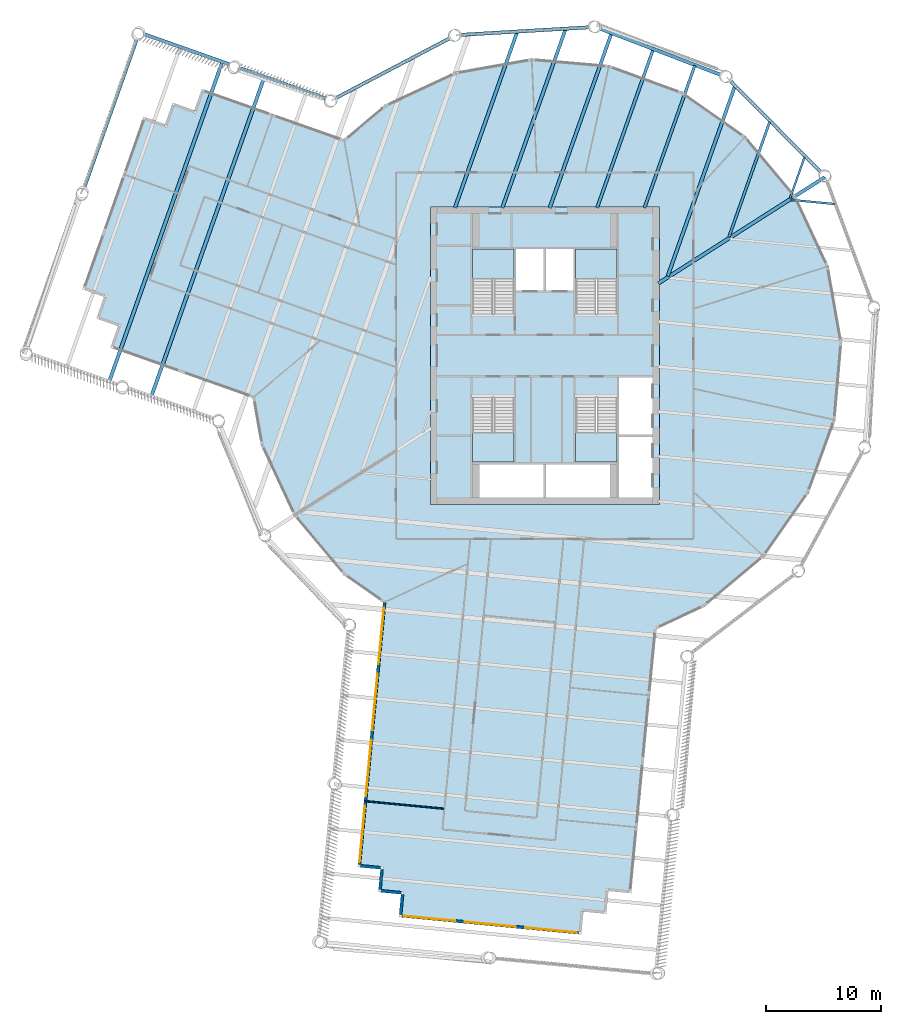
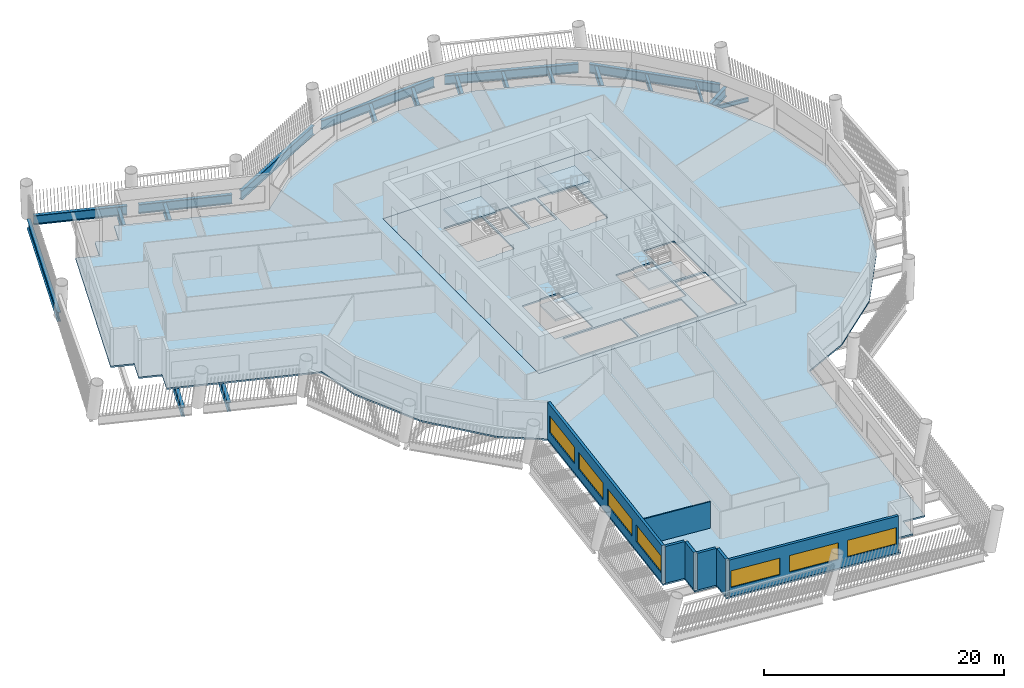
# One storey, part 2 of 15: 19 beams, 7 walls, 7 windows, 6 slabs, 7 openings, 4 elements without a shape of their own.
"""IFC4 building model written with IfcOpenShell, lengths in metres."""

from ifc_helpers import new_model, si_unit, direction, frame, frame_2d, origin, origin_2d, place, context, subcontext, project, spatial, polyline, rectangle, i_section, outline, extrude, material, layer, layer_set, material_profile, profile_set, type_object, element, fill, aggregate, save


model = new_model("IFC4")

# Units and contexts
model_context = context("Model", 3, precision=1e-05, world=origin(), true_north=direction((0.0, 1.0)))
body_context = subcontext(model_context, "Body", "Model", "MODEL_VIEW")
ifc_project = project(units=[si_unit("LENGTHUNIT", "METRE"), si_unit("AREAUNIT", "SQUARE_METRE"), si_unit("VOLUMEUNIT", "CUBIC_METRE"), si_unit("PLANEANGLEUNIT", "RADIAN"), si_unit("MASSUNIT", "GRAM", prefix="KILO")], contexts=[model_context])

# Site, building, storey
site_placement = place(None, origin())
site = spatial("IfcSite", under=ifc_project, at=site_placement, CompositionType="ELEMENT")
building_placement = place(site_placement, origin())
building = spatial("IfcBuilding", under=site, at=building_placement, Name="Tarsis Ring Headquarters", CompositionType="ELEMENT")
storey_placement = place(building_placement, frame((0.0, 0.0, 204.300048828125)))
storey = spatial("IfcBuildingStorey", under=building, at=storey_placement, Name="L47", CompositionType="ELEMENT", Elevation=204.300048828125)

# Beams
ifc_material_1 = material(Name="Structural steel S355", Category="steel")
ifc_material_profile_1 = material_profile(ifc_material_1, i_section(OverallWidth=0.177734375, OverallDepth=0.406494140625, WebThickness=0.0078125, FlangeThickness=0.0126953125, at=origin_2d()), Name="W16x40")
ifc_profile_set_1 = profile_set([ifc_material_profile_1], Name="Structural steel S355")
beam_type_1 = type_object("IfcBeamType", Name="FB Floor beam W16x40", PredefinedType="JOIST", material=ifc_profile_set_1)
for number, where, z_axis, x_axis, name in (
    (1, (21.5166015625, 13.607421875, -0.36328125), (0.995426292774, -0.095532694163, 0.0), (0.095532694163, 0.995426292774, 0.0), "Floor beam FB1"),
    (2, (22.68505859375, 17.352294921875, -0.36328125), (-0.333440919586, -0.942770997191, 0.0), (0.942770997191, -0.333440919586, 0.0), "Floor beam FB1"),
):
    element("IfcBeam", number, at=place(storey_placement, frame(where, z_axis=z_axis, x_axis=x_axis)), inside=storey, type_object=beam_type_1, Name=name, PredefinedType="JOIST", context=body_context, shape_type="SweptSolid", body=[
        extrude(i_section(OverallWidth=0.177734375, OverallDepth=0.406494140625, WebThickness=0.0078125, FlangeThickness=0.0126953125, at=origin_2d()), origin(), (0.0, 0.0, 1.0), 3.80517578125),
    ])
ifc_material_profile_2 = material_profile(ifc_material_1, i_section(OverallWidth=0.228271484375, OverallDepth=0.607177734375, WebThickness=0.01123046875, FlangeThickness=0.017333984375, at=origin_2d()), Name="W24x76")
ifc_profile_set_2 = profile_set([ifc_material_profile_2], Name="Structural steel S355")
beam_type_2 = type_object("IfcBeamType", Name="FB Floor beam W24x76", PredefinedType="JOIST", material=ifc_profile_set_2)
beam_1_placement = place(storey_placement, frame((19.637939453125, 20.4326171875, -0.463623046875), z_axis=(-0.333483363833, -0.94275598436, 0.0), x_axis=(0.94275598436, -0.333483363833, 0.0)))
element("IfcBeam", 3, at=beam_1_placement, inside=storey, type_object=beam_type_2, Name="Floor beam FB4", PredefinedType="JOIST", context=body_context, shape_type="SweptSolid", body=[
    extrude(i_section(OverallWidth=0.228271484375, OverallDepth=0.607177734375, WebThickness=0.01123046875, FlangeThickness=0.017333984375, at=origin_2d()), origin(), (0.0, 0.0, 1.0), 10.684814453125),
])
ifc_material_profile_3 = material_profile(ifc_material_1, i_section(OverallWidth=0.2529296875, OverallDepth=0.67822265625, WebThickness=0.01171875, FlangeThickness=0.016357421875, at=origin_2d()), Name="W27x84")
ifc_profile_set_3 = profile_set([ifc_material_profile_3], Name="Structural steel S355")
beam_type_3 = type_object("IfcBeamType", Name="FB Floor beam W27x84", PredefinedType="JOIST", material=ifc_profile_set_3)
beam_2_placement = place(storey_placement, frame((13.09716796875, 25.331298828125, -0.499267578125), z_axis=(-0.333479874405, -0.942757218677, 0.0), x_axis=(0.942757218677, -0.333479874405, 0.0)))
element("IfcBeam", 4, at=beam_2_placement, inside=storey, type_object=beam_type_3, Name="Floor beam FB5", PredefinedType="JOIST", context=body_context, shape_type="SweptSolid", body=[
    extrude(i_section(OverallWidth=0.2529296875, OverallDepth=0.67822265625, WebThickness=0.01171875, FlangeThickness=0.016357421875, at=origin_2d()), origin(), (0.0, 0.0, 1.0), 13.179931640625),
])
ifc_material_profile_4 = material_profile(ifc_material_1, i_section(OverallWidth=0.2666015625, OverallDepth=0.7568359375, WebThickness=0.013916015625, FlangeThickness=0.019287109375, at=origin_2d()), Name="W30x108")
ifc_profile_set_4 = profile_set([ifc_material_profile_4], Name="Structural steel S355")
beam_type_4 = type_object("IfcBeamType", Name="FB Floor beam W30x108", PredefinedType="JOIST", material=ifc_profile_set_4)
beam_3_placement = place(storey_placement, frame((9.4541015625, 26.727294921875, -0.53857421875), z_axis=(-0.333470724334, -0.942760455266, 0.0), x_axis=(0.942760455266, -0.333470724334, 0.0)))
element("IfcBeam", 5, at=beam_3_placement, inside=storey, type_object=beam_type_4, Name="Floor beam FB6", PredefinedType="JOIST", context=body_context, shape_type="SweptSolid", body=[
    extrude(i_section(OverallWidth=0.2666015625, OverallDepth=0.7568359375, WebThickness=0.013916015625, FlangeThickness=0.019287109375, at=origin_2d()), origin(), (0.0, 0.0, 1.0), 14.66064453125),
])
ifc_material_profile_5 = material_profile(ifc_material_1, i_section(OverallWidth=0.2919921875, OverallDepth=0.835693359375, WebThickness=0.013916015625, FlangeThickness=0.018798828125, at=origin_2d()), Name="W33x118")
ifc_profile_set_5 = profile_set([ifc_material_profile_5], Name="Structural steel S355")
beam_type_5 = type_object("IfcBeamType", Name="FB Floor beam W33x118", PredefinedType="JOIST", material=ifc_profile_set_5)
beam_4_placement = place(storey_placement, frame((16.590576171875, 23.5126953125, -0.577880859375), z_axis=(-0.333472220897, -0.942759925904, 0.0), x_axis=(0.942759925904, -0.333472220897, 0.0)))
element("IfcBeam", 6, at=beam_4_placement, inside=storey, type_object=beam_type_5, Name="Floor beam FB7", PredefinedType="JOIST", context=body_context, shape_type="SweptSolid", body=[
    extrude(i_section(OverallWidth=0.2919921875, OverallDepth=0.835693359375, WebThickness=0.013916015625, FlangeThickness=0.018798828125, at=origin_2d()), origin(), (0.0, 0.0, 1.0), 17.564208984375),
])
beam_5_placement = place(storey_placement, frame((5.81103515625, 28.123291015625, -0.577880859375), z_axis=(-0.333476696103, -0.942758342926, 0.0), x_axis=(0.942758342926, -0.333476696103, 0.0)))
element("IfcBeam", 7, at=beam_5_placement, inside=storey, type_object=beam_type_5, Name="Floor beam FB7", PredefinedType="JOIST", context=body_context, shape_type="SweptSolid", body=[
    extrude(i_section(OverallWidth=0.2919921875, OverallDepth=0.835693359375, WebThickness=0.013916015625, FlangeThickness=0.018798828125, at=origin_2d()), origin(), (0.0, 0.0, 1.0), 16.1416015625),
])
beam_6_placement = place(storey_placement, frame((1.803466796875, 28.488525390625, -0.577880859375), z_axis=(-0.333474440607, -0.942759140747, 0.0), x_axis=(0.942759140747, -0.333474440607, 0.0)))
element("IfcBeam", 8, at=beam_6_placement, inside=storey, type_object=beam_type_5, Name="Floor beam FB7", PredefinedType="JOIST", context=body_context, shape_type="SweptSolid", body=[
    extrude(i_section(OverallWidth=0.2919921875, OverallDepth=0.835693359375, WebThickness=0.013916015625, FlangeThickness=0.018798828125, at=origin_2d()), origin(), (0.0, 0.0, 1.0), 16.52880859375),
])
beam_7_placement = place(storey_placement, frame((-2.42138671875, 28.2392578125, -0.577880859375), z_axis=(-0.333476440967, -0.942758433174, 0.0), x_axis=(0.942758433174, -0.333476440967, 0.0)))
element("IfcBeam", 9, at=beam_7_placement, inside=storey, type_object=beam_type_5, Name="Floor beam FB7", PredefinedType="JOIST", context=body_context, shape_type="SweptSolid", body=[
    extrude(i_section(OverallWidth=0.2919921875, OverallDepth=0.835693359375, WebThickness=0.013916015625, FlangeThickness=0.018798828125, at=origin_2d()), origin(), (0.0, 0.0, 1.0), 16.264404296875),
])
ifc_material_profile_6 = material_profile(ifc_material_1, i_section(OverallWidth=0.309814453125, OverallDepth=0.949951171875, WebThickness=0.0244140625, FlangeThickness=0.0439453125, at=origin_2d()), Name="W36x256")
ifc_profile_set_6 = profile_set([ifc_material_profile_6], Name="Structural steel S355")
beam_type_6 = type_object("IfcBeamType", Name="FB Floor beam W36x256", PredefinedType="JOIST", material=ifc_profile_set_6)
beam_8_placement = place(storey_placement, frame((-24.496826171875, 24.305419921875, -0.635009765625), z_axis=(-0.333483453891, -0.942755952504, 0.0), x_axis=(0.942755952504, -0.333483453891, 0.0)))
element("IfcBeam", 10, at=beam_8_placement, inside=storey, type_object=beam_type_6, Name="Floor beam FB11", PredefinedType="JOIST", context=body_context, shape_type="SweptSolid", body=[
    extrude(i_section(OverallWidth=0.309814453125, OverallDepth=0.949951171875, WebThickness=0.0244140625, FlangeThickness=0.0439453125, at=origin_2d()), origin(), (0.0, 0.0, 1.0), 29.490234375),
])
beam_9_placement = place(storey_placement, frame((-28.173583984375, 25.606201171875, -0.635009765625), z_axis=(-0.333480851134, -0.942756873179, 0.0), x_axis=(0.942756873179, -0.333480851134, 0.0)))
element("IfcBeam", 11, at=beam_9_placement, inside=storey, type_object=beam_type_6, Name="Floor beam FB11", PredefinedType="JOIST", context=body_context, shape_type="SweptSolid", body=[
    extrude(i_section(OverallWidth=0.309814453125, OverallDepth=0.949951171875, WebThickness=0.0244140625, FlangeThickness=0.0439453125, at=origin_2d()), origin(), (0.0, 0.0, 1.0), 29.490478515625),
])
beam_type_7 = type_object("IfcBeamType", Name="FB Floor beam W36x256 spine", PredefinedType="BEAM", material=ifc_profile_set_6)
beam_10_placement = place(storey_placement, frame((24.444580078125, 15.5849609375, -0.635009765625), z_axis=(-0.843199098114, -0.537601414563, 0.0), x_axis=(0.537601414563, -0.843199098114, 0.0)))
element("IfcBeam", 12, at=beam_10_placement, inside=storey, type_object=beam_type_7, Name="Floor beam SB11", PredefinedType="BEAM", context=body_context, shape_type="SweptSolid", body=[
    extrude(i_section(OverallWidth=0.309814453125, OverallDepth=0.949951171875, WebThickness=0.0244140625, FlangeThickness=0.0439453125, at=origin_2d()), origin(), (0.0, 0.0, 1.0), 17.23046875),
])
beam_type_8 = type_object("IfcBeamType", Name="XG Ring girder W36x256", PredefinedType="BEAM", material=ifc_profile_set_6)
beam_11_placement = place(storey_placement, frame((24.15625, 15.95751953125, -0.47509765625), z_axis=(-0.703279361924, 0.710913594673, 0.0), x_axis=(-0.710913594673, -0.703279361924, 0.0)))
element("IfcBeam", 13, at=beam_11_placement, inside=storey, type_object=beam_type_8, Name="Ring girder XG2", PredefinedType="BEAM", context=body_context, shape_type="SweptSolid", body=[
    extrude(i_section(OverallWidth=0.309814453125, OverallDepth=0.949951171875, WebThickness=0.0244140625, FlangeThickness=0.0439453125, at=origin_2d()), origin(), (0.0, 0.0, 1.0), 11.288818359375),
])
beam_12_placement = place(storey_placement, frame((15.43115234375, 24.495849609375, -0.47509765625), z_axis=(-0.933790804513, 0.357819414519, 0.0), x_axis=(-0.357819414519, -0.933790804513, 0.0)))
element("IfcBeam", 14, at=beam_12_placement, inside=storey, type_object=beam_type_8, Name="Ring girder XG2", PredefinedType="BEAM", context=body_context, shape_type="SweptSolid", body=[
    extrude(i_section(OverallWidth=0.309814453125, OverallDepth=0.949951171875, WebThickness=0.0244140625, FlangeThickness=0.0439453125, at=origin_2d()), origin(), (0.0, 0.0, 1.0), 11.28857421875),
])
for number, where, z_axis, x_axis, name in (
    (15, (3.96240234375, 28.6787109375, -0.47509765625), (-0.998264515294, -0.058889366649, 0.0), (0.058889366649, -0.998264515294, 0.0), "Ring girder XG2"),
    (16, (-8.2109375, 27.76220703125, -0.47509765625), (-0.885244984725, -0.465125055248, 0.0), (0.465125055248, -0.885244984725, 0.0), "Ring girder XG2"),
):
    element("IfcBeam", number, at=place(storey_placement, frame(where, z_axis=z_axis, x_axis=x_axis)), inside=storey, type_object=beam_type_8, Name=name, PredefinedType="BEAM", context=body_context, shape_type="SweptSolid", body=[
        extrude(i_section(OverallWidth=0.309814453125, OverallDepth=0.949951171875, WebThickness=0.0244140625, FlangeThickness=0.0439453125, at=origin_2d()), origin(), (0.0, 0.0, 1.0), 11.288818359375),
    ])
beam_13_placement = place(storey_placement, frame((-19.081787109375, 22.4482421875, -0.47509765625), z_axis=(-0.942752310408, 0.333493749898, 0.0), x_axis=(-0.333493749898, -0.942752310408, 0.0)))
element("IfcBeam", 17, at=beam_13_placement, inside=storey, type_object=beam_type_8, Name="Ring girder XG2", PredefinedType="BEAM", context=body_context, shape_type="SweptSolid", body=[
    extrude(i_section(OverallWidth=0.309814453125, OverallDepth=0.949951171875, WebThickness=0.0244140625, FlangeThickness=0.0439453125, at=origin_2d()), origin(), (0.0, 0.0, 1.0), 7.942138671875),
])
beam_14_placement = place(storey_placement, frame((-27.474609375, 25.4169921875, -0.47509765625), z_axis=(-0.942748891462, 0.333503414747, 0.0), x_axis=(-0.333503414747, -0.942748891462, 0.0)))
element("IfcBeam", 18, at=beam_14_placement, inside=storey, type_object=beam_type_8, Name="Ring girder XG2", PredefinedType="BEAM", context=body_context, shape_type="SweptSolid", body=[
    extrude(i_section(OverallWidth=0.309814453125, OverallDepth=0.949951171875, WebThickness=0.0244140625, FlangeThickness=0.0439453125, at=origin_2d()), origin(), (0.0, 0.0, 1.0), 7.94189453125),
])
beam_15_placement = place(storey_placement, frame((-35.57470703125, 27.773193359375, -0.47509765625), z_axis=(-0.333469630966, -0.942760842008, 0.0), x_axis=(0.942760842008, -0.333469630966, 0.0)))
element("IfcBeam", 19, at=beam_15_placement, inside=storey, type_object=beam_type_8, Name="Ring girder XG2", PredefinedType="BEAM", context=body_context, shape_type="SweptSolid", body=[
    extrude(i_section(OverallWidth=0.309814453125, OverallDepth=0.949951171875, WebThickness=0.0244140625, FlangeThickness=0.0439453125, at=origin_2d()), origin(), (0.0, 0.0, 1.0), 13.840087890625),
])

# Slab
ifc_material_2 = material(Name="Concrete C40/50", Category="concrete")
ifc_layer_1 = layer(ifc_material_2, 0.159912109375)
ifc_layer_set_1 = layer_set([ifc_layer_1], Name="Core floor slab 160 C40/50")
slab_type_1 = type_object("IfcSlabType", Name="Core floor slab 160 C40/50", PredefinedType="FLOOR", material=ifc_layer_set_1)
slab_1_placement = place(storey_placement, frame((0.0, 0.0, -0.16015625)))
element("IfcSlab", 20, at=slab_1_placement, inside=storey, type_object=slab_type_1, Name="L47 core floor slab", PredefinedType="FLOOR", context=body_context, shape_type="SweptSolid", body=[
    extrude(outline(polyline([(-10.0, -13.0), (10.0, -13.0), (10.0, 13.0), (-10.0, 13.0), (-10.0, -13.0)]), holes=[polyline([(-2.5, 5.699951171875), (-0.10009765625, 5.699951171875), (-0.10009765625, 9.300048828125), (-2.5, 9.300048828125), (-2.5, 5.699951171875)]), polyline([(0.10009765625, 5.699951171875), (2.5, 5.699951171875), (2.5, 9.300048828125), (0.10009765625, 9.300048828125), (0.10009765625, 5.699951171875)]), polyline([(6.5, -12.39990234375), (9.39990234375, -12.39990234375), (9.39990234375, -7.10009765625), (6.5, -7.10009765625), (6.5, -12.39990234375)]), polyline([(6.5, -6.89990234375), (9.39990234375, -6.89990234375), (9.39990234375, -1.89990234375), (6.5, -1.89990234375), (6.5, -6.89990234375)]), polyline([(-5.699951171875, -12.39990234375), (-0.10009765625, -12.39990234375), (-0.10009765625, -9.5), (-5.699951171875, -9.5), (-5.699951171875, -12.39990234375)]), polyline([(0.10009765625, -12.39990234375), (5.699951171875, -12.39990234375), (5.699951171875, -9.5), (0.10009765625, -9.5), (0.10009765625, -12.39990234375)]), polyline([(-2.699951171875, 3.760009765625), (-2.699951171875, 9.300048828125), (-6.300048828125, 9.300048828125), (-6.300048828125, 3.659912109375), (-4.4599609375, 3.659912109375), (-4.4599609375, 3.760009765625), (-2.699951171875, 3.760009765625)]), polyline([(6.300048828125, 3.760009765625), (6.300048828125, 9.300048828125), (2.699951171875, 9.300048828125), (2.699951171875, 3.659912109375), (4.5400390625, 3.659912109375), (4.5400390625, 3.760009765625), (6.300048828125, 3.760009765625)]), polyline([(-6.300048828125, -3.760009765625), (-6.300048828125, -9.300048828125), (-2.699951171875, -9.300048828125), (-2.699951171875, -3.659912109375), (-4.5400390625, -3.659912109375), (-4.5400390625, -3.760009765625), (-6.300048828125, -3.760009765625)]), polyline([(2.699951171875, -3.760009765625), (2.699951171875, -9.300048828125), (6.300048828125, -9.300048828125), (6.300048828125, -3.659912109375), (4.4599609375, -3.659912109375), (4.4599609375, -3.760009765625), (2.699951171875, -3.760009765625)])]), origin(), (0.0, 0.0, 1.0), 0.16015625),
])

# Stair, slab
ifc_material_3 = material(Name="Core stair 1760")
stair_type = type_object("IfcStairType", Name="Core stair 1760", PredefinedType="HALF_TURN_STAIR", material=ifc_material_3)
stair_1_placement = place(storey_placement, origin())
stair_1 = element("IfcStair", 21, at=stair_1_placement, inside=storey, type_object=stair_type, Name="L47 Firefighting stair", PredefinedType="HALF_TURN_STAIR")
ifc_layer_2 = layer(ifc_material_2, 0.199951171875)
ifc_layer_set_2 = layer_set([ifc_layer_2], Name="Core stair landing 200")
slab_type_2 = type_object("IfcSlabType", Name="Core stair landing 200", PredefinedType="LANDING", material=ifc_layer_set_2)
slab_2_placement = place(storey_placement, frame((0.0, 0.0, 1.75)))
slab_2 = element("IfcSlab", 22, at=slab_2_placement, type_object=slab_type_2, Name="Stair ST1 landing 1", PredefinedType="LANDING", context=body_context, shape_type="SweptSolid", body=[
    extrude(outline(polyline([(-2.699951171875, 6.739990234375), (-2.699951171875, 9.300048828125), (-6.300048828125, 9.300048828125), (-6.300048828125, 6.739990234375), (-2.699951171875, 6.739990234375)])), origin(), (0.0, 0.0, 1.0), 0.199951171875),
])
aggregate(stair_1, [slab_2])

stair_2_placement = place(storey_placement, origin())
stair_2 = element("IfcStair", 23, at=stair_2_placement, inside=storey, type_object=stair_type, Name="L47 Exit stair B", PredefinedType="HALF_TURN_STAIR")
slab_3_placement = place(storey_placement, frame((0.0, 0.0, 1.75)))
slab_3 = element("IfcSlab", 24, at=slab_3_placement, type_object=slab_type_2, Name="Stair ST2 landing 1", PredefinedType="LANDING", context=body_context, shape_type="SweptSolid", body=[
    extrude(outline(polyline([(6.300048828125, 6.739990234375), (6.300048828125, 9.300048828125), (2.699951171875, 9.300048828125), (2.699951171875, 6.739990234375), (6.300048828125, 6.739990234375)])), origin(), (0.0, 0.0, 1.0), 0.199951171875),
])
aggregate(stair_2, [slab_3])

stair_3_placement = place(storey_placement, origin())
stair_3 = element("IfcStair", 25, at=stair_3_placement, inside=storey, type_object=stair_type, Name="L47 Exit stair C", PredefinedType="HALF_TURN_STAIR")
slab_4_placement = place(storey_placement, frame((0.0, 0.0, 1.75)))
slab_4 = element("IfcSlab", 26, at=slab_4_placement, type_object=slab_type_2, Name="Stair ST3 landing 1", PredefinedType="LANDING", context=body_context, shape_type="SweptSolid", body=[
    extrude(outline(polyline([(-6.300048828125, -6.739990234375), (-6.300048828125, -9.300048828125), (-2.699951171875, -9.300048828125), (-2.699951171875, -6.739990234375), (-6.300048828125, -6.739990234375)])), origin(), (0.0, 0.0, 1.0), 0.199951171875),
])
aggregate(stair_3, [slab_4])

stair_4_placement = place(storey_placement, origin())
stair_4 = element("IfcStair", 27, at=stair_4_placement, inside=storey, type_object=stair_type, Name="L47 Exit stair D", PredefinedType="HALF_TURN_STAIR")
slab_5_placement = place(storey_placement, frame((0.0, 0.0, 1.75)))
slab_5 = element("IfcSlab", 28, at=slab_5_placement, type_object=slab_type_2, Name="Stair ST4 landing 1", PredefinedType="LANDING", context=body_context, shape_type="SweptSolid", body=[
    extrude(outline(polyline([(2.699951171875, -6.739990234375), (2.699951171875, -9.300048828125), (6.300048828125, -9.300048828125), (6.300048828125, -6.739990234375), (2.699951171875, -6.739990234375)])), origin(), (0.0, 0.0, 1.0), 0.199951171875),
])
aggregate(stair_4, [slab_5])

# Slab
ifc_material_4 = material(Name="Concrete C35/45", Category="concrete")
ifc_layer_3 = layer(ifc_material_4, 0.159912109375)
ifc_layer_set_3 = layer_set([ifc_layer_3], Name="FS Composite floor slab 160")
slab_type_3 = type_object("IfcSlabType", Name="FS Composite floor slab 160", PredefinedType="FLOOR", material=ifc_layer_set_3)
slab_6_placement = place(storey_placement, frame((0.0, 0.0, -0.16015625)))
element("IfcSlab", 29, at=slab_6_placement, inside=storey, type_object=slab_type_3, Name="Floor slab L47", PredefinedType="FLOOR", context=body_context, shape_type="SweptSolid", body=[
    extrude(outline(polyline([(-25.52294921875, -3.700439453125), (-24.7939453125, -7.826904296875), (-21.92333984375, -13.9775390625), (-17.55859375, -19.17529296875), (-14.125244140625, -21.57763671875), (-16.338134765625, -44.643798828125), (-14.34716796875, -44.834716796875), (-14.538330078125, -46.82568359375), (-12.54736328125, -47.0166015625), (-12.73828125, -49.007568359375), (3.1884765625, -50.535400390625), (3.379638671875, -48.544677734375), (5.370361328125, -48.735595703125), (5.561279296875, -46.74462890625), (7.55224609375, -46.935791015625), (9.76318359375, -23.89013671875), (13.9775390625, -21.92333984375), (19.17529296875, -17.55859375), (23.06640625, -11.997314453125), (25.3857421875, -5.61865234375), (25.974853515625, 1.14306640625), (24.7939453125, 7.826904296875), (21.92333984375, 13.9775390625), (17.55859375, 19.17529296875), (11.997314453125, 23.06640625), (5.61865234375, 25.3857421875), (-1.14306640625, 25.974853515625), (-7.826904296875, 24.7939453125), (-13.9775390625, 21.92333984375), (-17.5390625, 18.9326171875), (-29.9375, 23.318359375), (-30.6044921875, 21.432861328125), (-32.489990234375, 22.099853515625), (-33.156982421875, 20.214111328125), (-35.04248046875, 20.881103515625), (-40.378173828125, 5.797119140625), (-38.49267578125, 5.130126953125), (-39.15966796875, 3.24462890625), (-37.274169921875, 2.57763671875), (-37.94091796875, 0.692138671875), (-25.52294921875, -3.700439453125)]), holes=[polyline([(-10.0, -13.0), (-10.0, 13.0), (10.0, 13.0), (10.0, -13.0), (-10.0, -13.0)])]), origin(), (0.0, 0.0, 1.0), 0.16015625),
])

# Wall
ifc_material_5 = material(Name="Gypsum board on steel studs", Category="steel")
ifc_layer_4 = layer(ifc_material_5, 0.10009765625)
ifc_layer_set_4 = layer_set([ifc_layer_4], Name="FL partition 100 unrated")
wall_type_1 = type_object("IfcWallType", Name="FL partition 100 unrated", PredefinedType="PARTITIONING", material=ifc_layer_set_4)
wall_1_placement = place(storey_placement, frame((-15.7353515625, -38.885009765625, 0.0), z_axis=(0.0, 0.0, 1.0), x_axis=(0.995428887645, -0.095505652407, 0.0)))
element("IfcWall", 30, at=wall_1_placement, inside=storey, type_object=wall_type_1, Name="Partition PW3", PredefinedType="PARTITIONING", context=body_context, shape_type="SweptSolid", body=[
    extrude(rectangle(XDim=6.93017578125, YDim=0.10009765625, at=frame_2d((3.465087890625, 0.0))), origin(), (0.0, 0.0, 1.0), 2.699951171875),
])

# Wall, openings, windows
ifc_material_6 = material(Name="Terracotta clad insulated panel wall", Category="masonry")
ifc_layer_5 = layer(ifc_material_6, 0.25)
ifc_layer_set_5 = layer_set([ifc_layer_5], Name="Facade wall terracotta panel 250")
wall_type_2 = type_object("IfcWallType", Name="Facade wall terracotta panel 250", PredefinedType="STANDARD", material=ifc_layer_set_5)
wall_2_placement = place(storey_placement, frame((-14.000732421875, -21.589599609375, 0.0), z_axis=(0.0, 0.0, 1.0), x_axis=(-0.095495655954, -0.995429846696, 0.0)))
wall_2 = element("IfcWall", 31, at=wall_2_placement, inside=storey, type_object=wall_type_2, Name="External wall L47-06", PredefinedType="STANDARD", context=body_context, shape_type="SweptSolid", body=[
    extrude(rectangle(XDim=22.922119140625, YDim=0.25, at=frame_2d((11.4609375, 0.0))), origin(), (0.0, 0.0, 1.0), 3.739990234375),
])
opening_1_placement = place(wall_2_placement, frame((0.42138671875, 0.0, 0.89990234375)))
opening_1 = element("IfcOpeningElement", 32, at=opening_1_placement, cuts=wall_2, Name="Opening WN05", PredefinedType="OPENING", context=body_context, shape_type="SweptSolid", body=[
    extrude(rectangle(XDim=4.949951171875, YDim=1.699951171875, at=frame_2d((2.47509765625, 0.85009765625))), frame((0.0, 0.135009765625, 0.0), z_axis=(0.0, -1.0, 0.0), x_axis=(1.0, 0.0, 0.0)), (0.0, 0.0, 1.0), 0.27001953125),
])
opening_2_placement = place(wall_2_placement, frame((6.214599609375, 0.0, 0.89990234375)))
opening_2 = element("IfcOpeningElement", 33, at=opening_2_placement, cuts=wall_2, Name="Opening WN05", PredefinedType="OPENING", context=body_context, shape_type="SweptSolid", body=[
    extrude(rectangle(XDim=4.949951171875, YDim=1.699951171875, at=frame_2d((2.47509765625, 0.85009765625))), frame((0.0, 0.135009765625, 0.0), z_axis=(0.0, -1.0, 0.0), x_axis=(1.0, 0.0, 0.0)), (0.0, 0.0, 1.0), 0.27001953125),
])
opening_3_placement = place(wall_2_placement, frame((12.007568359375, 0.0, 0.89990234375)))
opening_3 = element("IfcOpeningElement", 34, at=opening_3_placement, cuts=wall_2, Name="Opening WN05", PredefinedType="OPENING", context=body_context, shape_type="SweptSolid", body=[
    extrude(rectangle(XDim=4.949951171875, YDim=1.699951171875, at=frame_2d((2.47509765625, 0.85009765625))), frame((0.0, 0.135009765625, 0.0), z_axis=(0.0, -1.0, 0.0), x_axis=(1.0, 0.0, 0.0)), (0.0, 0.0, 1.0), 0.27001953125),
])
opening_4_placement = place(wall_2_placement, frame((17.800537109375, 0.0, 0.89990234375)))
opening_4 = element("IfcOpeningElement", 35, at=opening_4_placement, cuts=wall_2, Name="Opening WN05", PredefinedType="OPENING", context=body_context, shape_type="SweptSolid", body=[
    extrude(rectangle(XDim=4.949951171875, YDim=1.699951171875, at=frame_2d((2.47509765625, 0.85009765625))), frame((0.0, 0.135009765625, 0.0), z_axis=(0.0, -1.0, 0.0), x_axis=(1.0, 0.0, 0.0)), (0.0, 0.0, 1.0), 0.27001953125),
])
ifc_material_7 = material(Name="Aluminium framed double glazing", Category="aluminium")
window_type_1 = type_object("IfcWindowType", Name="Facade window 4950 x 1700", PartitioningType="SINGLE_PANEL", PredefinedType="WINDOW", material=ifc_material_7)
window_1_placement = place(opening_1_placement, origin())
window_1 = element("IfcWindow", 36, at=window_1_placement, inside=storey, type_object=window_type_1, Name="Window L47-06.1", OverallHeight=1.699951171875, OverallWidth=4.949951171875, PartitioningType="SINGLE_PANEL", PredefinedType="WINDOW", context=body_context, shape_type="SweptSolid", body=[
    extrude(rectangle(XDim=4.949951171875, YDim=1.699951171875, at=frame_2d((2.47509765625, 0.85009765625))), frame((0.0, 0.030029296875, 0.0), z_axis=(0.0, -1.0, 0.0), x_axis=(1.0, 0.0, 0.0)), (0.0, 0.0, 1.0), 0.06005859375),
])
fill(opening_1, window_1)
window_2_placement = place(opening_2_placement, origin())
window_2 = element("IfcWindow", 37, at=window_2_placement, inside=storey, type_object=window_type_1, Name="Window L47-06.2", OverallHeight=1.699951171875, OverallWidth=4.949951171875, PartitioningType="SINGLE_PANEL", PredefinedType="WINDOW", context=body_context, shape_type="SweptSolid", body=[
    extrude(rectangle(XDim=4.949951171875, YDim=1.699951171875, at=frame_2d((2.47509765625, 0.85009765625))), frame((0.0, 0.030029296875, 0.0), z_axis=(0.0, -1.0, 0.0), x_axis=(1.0, 0.0, 0.0)), (0.0, 0.0, 1.0), 0.06005859375),
])
fill(opening_2, window_2)
window_3_placement = place(opening_3_placement, origin())
window_3 = element("IfcWindow", 38, at=window_3_placement, inside=storey, type_object=window_type_1, Name="Window L47-06.3", OverallHeight=1.699951171875, OverallWidth=4.949951171875, PartitioningType="SINGLE_PANEL", PredefinedType="WINDOW", context=body_context, shape_type="SweptSolid", body=[
    extrude(rectangle(XDim=4.949951171875, YDim=1.699951171875, at=frame_2d((2.47509765625, 0.85009765625))), frame((0.0, 0.030029296875, 0.0), z_axis=(0.0, -1.0, 0.0), x_axis=(1.0, 0.0, 0.0)), (0.0, 0.0, 1.0), 0.06005859375),
])
fill(opening_3, window_3)
window_4_placement = place(opening_4_placement, origin())
window_4 = element("IfcWindow", 39, at=window_4_placement, inside=storey, type_object=window_type_1, Name="Window L47-06.4", OverallHeight=1.699951171875, OverallWidth=4.949951171875, PartitioningType="SINGLE_PANEL", PredefinedType="WINDOW", context=body_context, shape_type="SweptSolid", body=[
    extrude(rectangle(XDim=4.949951171875, YDim=1.699951171875, at=frame_2d((2.47509765625, 0.85009765625))), frame((0.0, 0.030029296875, 0.0), z_axis=(0.0, -1.0, 0.0), x_axis=(1.0, 0.0, 0.0)), (0.0, 0.0, 1.0), 0.06005859375),
])
fill(opening_4, window_4)

# Walls
wall_3_placement = place(storey_placement, frame((-16.077392578125, -44.543212890625, 0.0), z_axis=(0.0, 0.0, 1.0), x_axis=(0.995424350878, -0.095552926058, 0.0)))
element("IfcWall", 40, at=wall_3_placement, inside=storey, type_object=wall_type_2, Name="External wall L47-07", PredefinedType="STANDARD", context=body_context, shape_type="SweptSolid", body=[
    extrude(rectangle(XDim=1.750244140625, YDim=0.25, at=frame_2d((0.875, 0.0))), origin(), (0.0, 0.0, 1.0), 3.739990234375),
])
for number, where, z_axis, x_axis, name in (
    (41, (-14.222900390625, -44.8466796875, 0.0), (0.0, 0.0, 1.0), (-0.095427954596, -0.995436339241, 0.0), "External wall L47-08"),
    (42, (-14.27734375, -46.72509765625, 0.0), (0.0, 0.0, 1.0), (0.995436339241, -0.095427954596, 0.0), "External wall L47-09"),
    (43, (-12.4228515625, -47.028564453125, 0.0), (0.0, 0.0, 1.0), (-0.095566195899, -0.995423076989, 0.0), "External wall L47-10"),
):
    element("IfcWall", number, at=place(storey_placement, frame(where, z_axis=z_axis, x_axis=x_axis)), inside=storey, type_object=wall_type_2, Name=name, PredefinedType="STANDARD", context=body_context, shape_type="SweptSolid", body=[
        extrude(rectangle(XDim=1.75, YDim=0.25, at=frame_2d((0.875, 0.0))), origin(), (0.0, 0.0, 1.0), 3.739990234375),
    ])

# Wall, openings, windows
wall_4_placement = place(storey_placement, frame((-12.4775390625, -48.906982421875, 0.0), z_axis=(0.0, 0.0, 1.0), x_axis=(0.995429611, -0.09549811278, 0.0)))
wall_4 = element("IfcWall", 44, at=wall_4_placement, inside=storey, type_object=wall_type_2, Name="External wall L47-11", PredefinedType="STANDARD", context=body_context, shape_type="SweptSolid", body=[
    extrude(rectangle(XDim=15.5, YDim=0.25, at=frame_2d((7.75, 0.0))), origin(), (0.0, 0.0, 1.0), 3.739990234375),
])
opening_5_placement = place(wall_4_placement, frame((0.166748046875, 0.0, 0.89990234375)))
opening_5 = element("IfcOpeningElement", 45, at=opening_5_placement, cuts=wall_4, Name="Opening WN04", PredefinedType="OPENING", context=body_context, shape_type="SweptSolid", body=[
    extrude(rectangle(XDim=4.5, YDim=1.699951171875, at=frame_2d((2.25, 0.85009765625))), frame((0.0, 0.135009765625, 0.0), z_axis=(0.0, -1.0, 0.0), x_axis=(1.0, 0.0, 0.0)), (0.0, 0.0, 1.0), 0.27001953125),
])
opening_6_placement = place(wall_4_placement, frame((5.5, 0.0, 0.89990234375)))
opening_6 = element("IfcOpeningElement", 46, at=opening_6_placement, cuts=wall_4, Name="Opening WN04", PredefinedType="OPENING", context=body_context, shape_type="SweptSolid", body=[
    extrude(rectangle(XDim=4.5, YDim=1.699951171875, at=frame_2d((2.25, 0.85009765625))), frame((0.0, 0.135009765625, 0.0), z_axis=(0.0, -1.0, 0.0), x_axis=(1.0, 0.0, 0.0)), (0.0, 0.0, 1.0), 0.27001953125),
])
opening_7_placement = place(wall_4_placement, frame((10.833251953125, 0.0, 0.89990234375)))
opening_7 = element("IfcOpeningElement", 47, at=opening_7_placement, cuts=wall_4, Name="Opening WN04", PredefinedType="OPENING", context=body_context, shape_type="SweptSolid", body=[
    extrude(rectangle(XDim=4.5, YDim=1.699951171875, at=frame_2d((2.25, 0.85009765625))), frame((0.0, 0.135009765625, 0.0), z_axis=(0.0, -1.0, 0.0), x_axis=(1.0, 0.0, 0.0)), (0.0, 0.0, 1.0), 0.27001953125),
])
window_type_2 = type_object("IfcWindowType", Name="Facade window 4500 x 1700", PartitioningType="SINGLE_PANEL", PredefinedType="WINDOW", material=ifc_material_7)
window_5_placement = place(opening_5_placement, origin())
window_5 = element("IfcWindow", 48, at=window_5_placement, inside=storey, type_object=window_type_2, Name="Window L47-11.1", OverallHeight=1.699951171875, OverallWidth=4.5, PartitioningType="SINGLE_PANEL", PredefinedType="WINDOW", context=body_context, shape_type="SweptSolid", body=[
    extrude(rectangle(XDim=4.5, YDim=1.699951171875, at=frame_2d((2.25, 0.85009765625))), frame((0.0, 0.030029296875, 0.0), z_axis=(0.0, -1.0, 0.0), x_axis=(1.0, 0.0, 0.0)), (0.0, 0.0, 1.0), 0.06005859375),
])
fill(opening_5, window_5)
window_6_placement = place(opening_6_placement, origin())
window_6 = element("IfcWindow", 49, at=window_6_placement, inside=storey, type_object=window_type_2, Name="Window L47-11.2", OverallHeight=1.699951171875, OverallWidth=4.5, PartitioningType="SINGLE_PANEL", PredefinedType="WINDOW", context=body_context, shape_type="SweptSolid", body=[
    extrude(rectangle(XDim=4.5, YDim=1.699951171875, at=frame_2d((2.25, 0.85009765625))), frame((0.0, 0.030029296875, 0.0), z_axis=(0.0, -1.0, 0.0), x_axis=(1.0, 0.0, 0.0)), (0.0, 0.0, 1.0), 0.06005859375),
])
fill(opening_6, window_6)
window_7_placement = place(opening_7_placement, origin())
window_7 = element("IfcWindow", 50, at=window_7_placement, inside=storey, type_object=window_type_2, Name="Window L47-11.3", OverallHeight=1.699951171875, OverallWidth=4.5, PartitioningType="SINGLE_PANEL", PredefinedType="WINDOW", context=body_context, shape_type="SweptSolid", body=[
    extrude(rectangle(XDim=4.5, YDim=1.699951171875, at=frame_2d((2.25, 0.85009765625))), frame((0.0, 0.030029296875, 0.0), z_axis=(0.0, -1.0, 0.0), x_axis=(1.0, 0.0, 0.0)), (0.0, 0.0, 1.0), 0.06005859375),
])
fill(opening_7, window_7)

save(model, "model.ifc")
